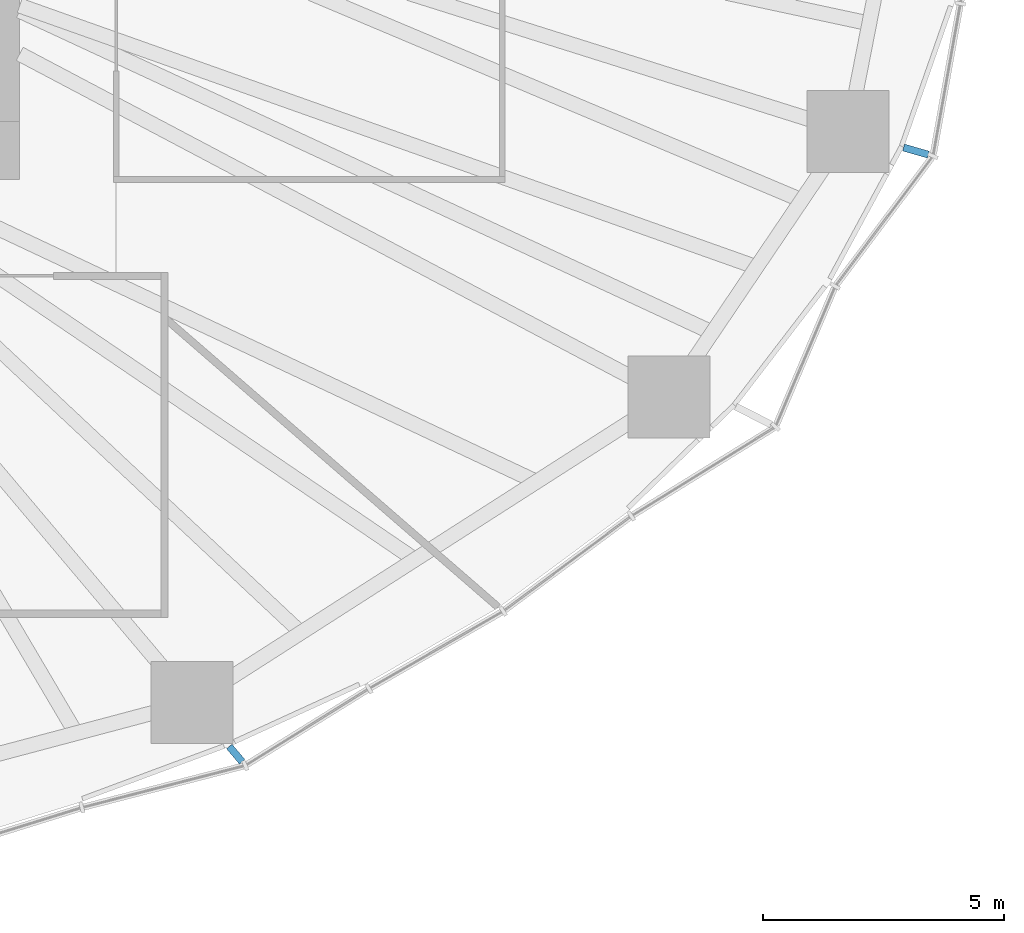
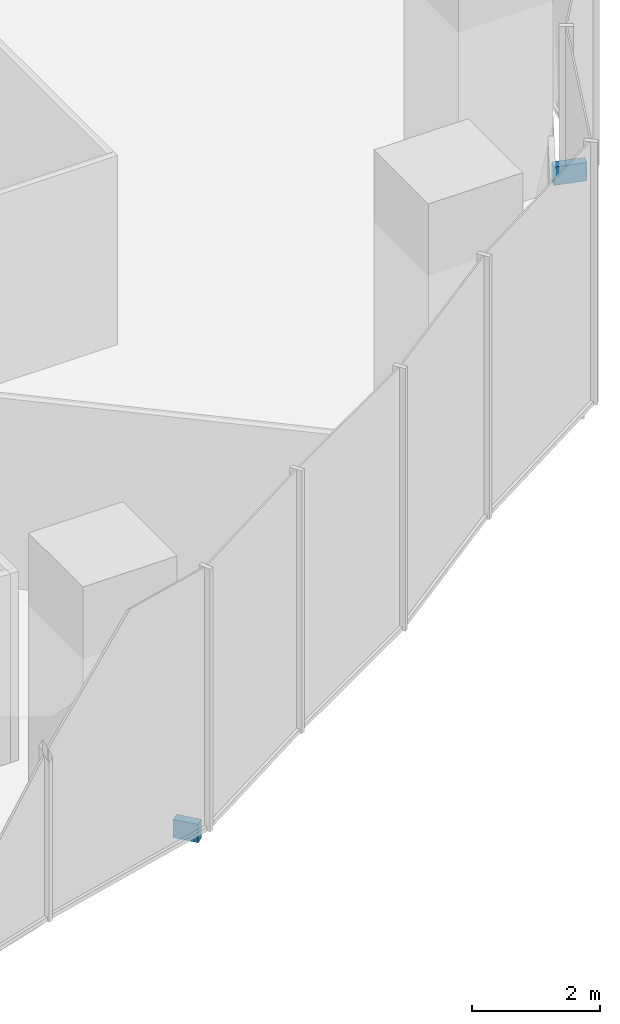
# One storey, part 14 of 20: 2 discrete accessories.
"""IFC4 building model written with IfcOpenShell, lengths in metres."""

from ifc_helpers import new_model, si_unit, direction, frame, origin, origin_2d, place, context, subcontext, project, spatial, rectangle, extrude, material, type_object, element, save


model = new_model("IFC4")

# Units and contexts
model_context = context("Model", 3, precision=1e-05, world=origin(), true_north=direction((0.0, 1.0)))
body_context = subcontext(model_context, "Body", "Model", "MODEL_VIEW")
ifc_project = project(units=[si_unit("LENGTHUNIT", "METRE"), si_unit("AREAUNIT", "SQUARE_METRE"), si_unit("VOLUMEUNIT", "CUBIC_METRE"), si_unit("PLANEANGLEUNIT", "RADIAN"), si_unit("MASSUNIT", "GRAM", prefix="KILO")], contexts=[model_context])

# Site, building, storey
site_placement = place(None, origin())
site = spatial("IfcSite", under=ifc_project, at=site_placement, CompositionType="ELEMENT")
building_placement = place(site_placement, origin())
building = spatial("IfcBuilding", under=site, at=building_placement, Name="Ghaith Harvest Tower", CompositionType="ELEMENT")
storey_placement = place(building_placement, frame((0.0, 0.0, 85.0)))
storey = spatial("IfcBuildingStorey", under=building, at=storey_placement, Name="L17", CompositionType="ELEMENT", Elevation=85.0)

# Discrete accessories
ifc_material_1 = material(Name="Stainless steel grade 1.4401", Category="steel")
discrete_accessory_type_1 = type_object("IfcDiscreteAccessoryType", Name="CURTAIN WALL BRACKET 415", PredefinedType="BRACKET", material=ifc_material_1)
discrete_accessory_1_placement = place(storey_placement, frame((18.475830078125, -21.90966796875, -0.25), z_axis=(0.0, 0.0, 1.0), x_axis=(0.644657240069, -0.764471741025, 0.0)))
element("IfcDiscreteAccessory", 1, at=discrete_accessory_1_placement, inside=storey, type_object=discrete_accessory_type_1, Name="CW-F bracket 1 bay 18 L17", PredefinedType="BRACKET", context=body_context, shape_type="SweptSolid", body=[
    extrude(rectangle(XDim=0.4150390625, YDim=0.14990234375, at=origin_2d()), origin(), (0.0, 0.0, 1.0), 0.35009765625),
])
ifc_material_2 = material(Name="Stainless steel grade 1.4401", Category="steel")
discrete_accessory_type_2 = type_object("IfcDiscreteAccessoryType", Name="CURTAIN WALL BRACKET 535", PredefinedType="BRACKET", material=ifc_material_2)
discrete_accessory_2_placement = place(storey_placement, frame((32.570556640625, -9.41357421875, -0.25), z_axis=(0.0, 0.0, 1.0), x_axis=(0.960680349932, -0.277656739976, 0.0)))
element("IfcDiscreteAccessory", 2, at=discrete_accessory_2_placement, inside=storey, type_object=discrete_accessory_type_2, Name="CW-F bracket 1 bay 20 L17", PredefinedType="BRACKET", context=body_context, shape_type="SweptSolid", body=[
    extrude(rectangle(XDim=0.534912109375, YDim=0.14990234375, at=origin_2d()), origin(), (0.0, 0.0, 1.0), 0.35009765625),
])

save(model, "model.ifc")
